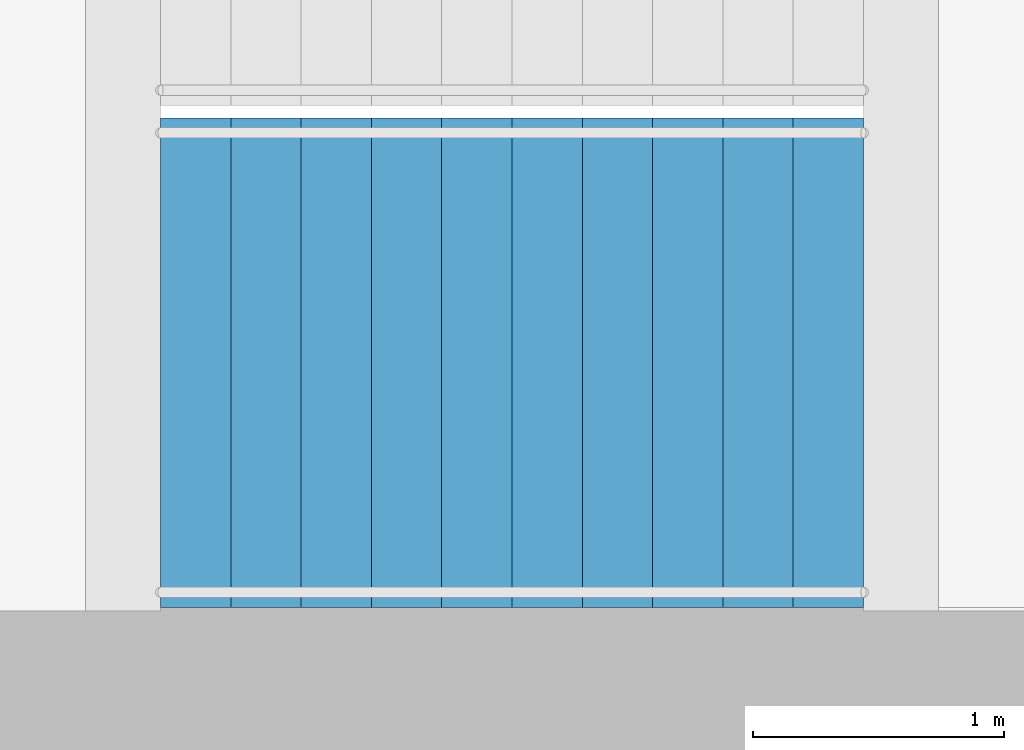
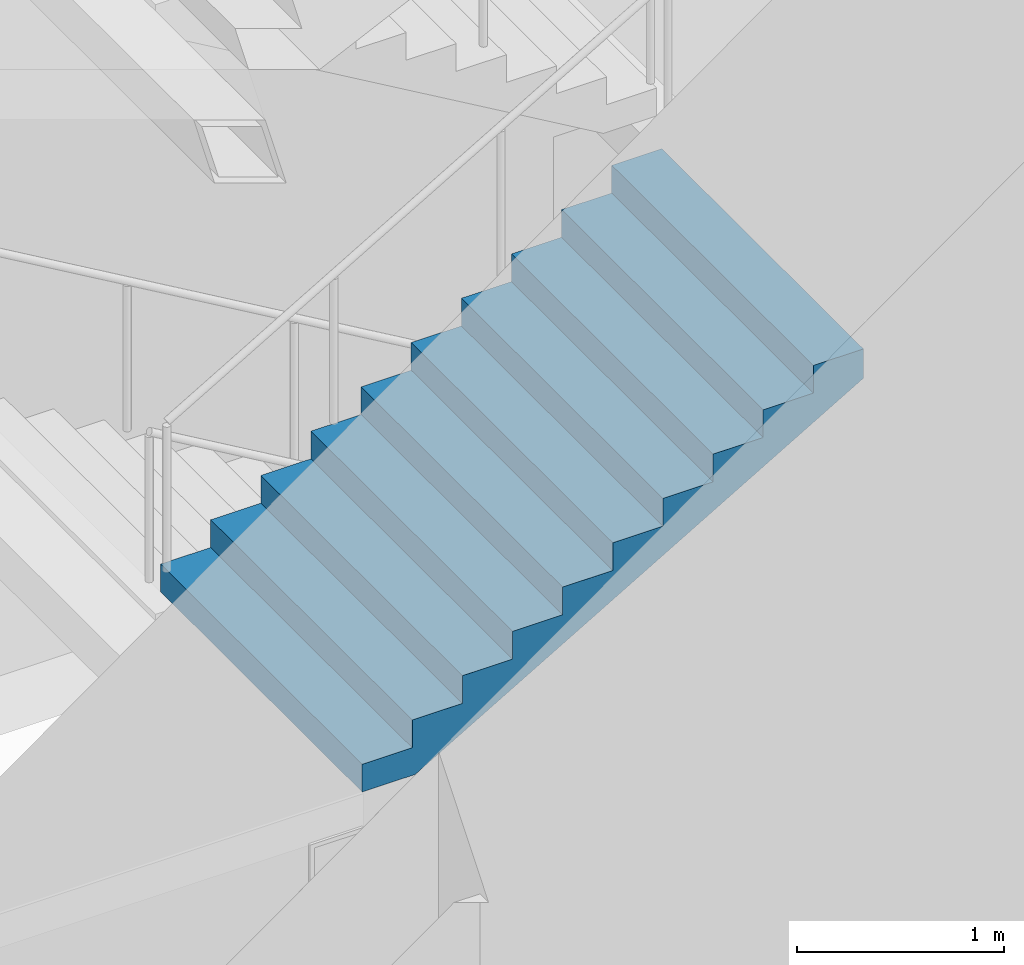
# One storey, part 20 of 24: 1 stair flight, 1 element without a shape of its own.
"""IFC4 building model written with IfcOpenShell, lengths in metres."""

from ifc_helpers import new_model, si_unit, direction, frame, origin, place, context, subcontext, project, spatial, triangles, material, type_object, element, aggregate, save


model = new_model("IFC4")

# Units and contexts
model_context = context("Model", 3, precision=1e-05, world=origin(), true_north=direction((0.0, 1.0)))
body_context = subcontext(model_context, "Body", "Model", "MODEL_VIEW")
ifc_project = project(units=[si_unit("LENGTHUNIT", "METRE"), si_unit("AREAUNIT", "SQUARE_METRE"), si_unit("VOLUMEUNIT", "CUBIC_METRE"), si_unit("PLANEANGLEUNIT", "RADIAN"), si_unit("MASSUNIT", "GRAM", prefix="KILO")], contexts=[model_context])

# Site, building, storey
site_placement = place(None, origin())
site = spatial("IfcSite", under=ifc_project, at=site_placement, CompositionType="ELEMENT")
building_placement = place(site_placement, origin())
building = spatial("IfcBuilding", under=site, at=building_placement, Name="Orbita Commons", CompositionType="ELEMENT")
storey_placement = place(building_placement, frame((0.0, 0.0, 68.949951171875)))
storey = spatial("IfcBuildingStorey", under=building, at=storey_placement, Name="L17", CompositionType="ELEMENT", Elevation=68.949951171875)

# Stair, stair flight
ifc_material_1 = material(Name="Precast concrete C40/50", Category="concrete")
stair_type = type_object("IfcStairType", Name="Exit stair S2 4 flights 11 risers 164", PredefinedType="HALF_TURN_STAIR", material=ifc_material_1)
stair_placement = place(storey_placement, origin())
stair = element("IfcStair", 1, at=stair_placement, inside=storey, type_object=stair_type, Name="Exit stair S2 L17", PredefinedType="HALF_TURN_STAIR")
ifc_material_2 = material(Name="Precast concrete C40/50", Category="concrete")
stair_flight_type = type_object("IfcStairFlightType", Name="Stair flight 11 risers 164 x 280", PredefinedType="STRAIGHT", material=ifc_material_2)
stair_flight_placement = place(storey_placement, frame((60.75, 27.27490234375, 1.800048828125), z_axis=(0.0, 0.0, 1.0), x_axis=(1.0, 0.0, 0.0)))
stair_flight = element("IfcStairFlight", 2, at=stair_flight_placement, type_object=stair_flight_type, Name="S2 flight 2", NumberOfRisers=11, NumberOfTreads=10, PredefinedType="STRAIGHT", RiserHeight=0.163636364, TreadLength=0.28, context=body_context, shape_type="Tessellation", body=[
    triangles([(0.0, 0.974976, 0.0), (0.0, 0.974976, 0.020455), (0.0, 0.81248, 0.020455), (0.0, 0.81248, 0.0), (0.0, 0.649984, 0.020455), (0.0, 0.649984, 0.0), (0.0, 0.487488, 0.020455), (0.0, 0.487488, 0.0), (0.0, 0.324992, 0.020455), (0.0, 0.324992, 0.0), (0.0, 0.162496, 0.020455), (0.0, 0.162496, 0.0), (0.0, 0.0, 0.020455), (0.0, 0.0, 0.0), (0.0, -0.162496, 0.020455), (0.0, -0.162496, 0.0), (0.0, -0.324992, 0.020455), (0.0, -0.324992, 0.0), (0.0, -0.487488, 0.020455), (0.0, -0.487488, 0.0), (0.0, -0.649984, 0.020455), (0.0, -0.649984, 0.0), (0.0, -0.81248, 0.020455), (0.0, -0.81248, 0.0), (0.0, -0.974976, 0.020455), (0.0, -0.974976, 0.0), (0.0, 0.974976, 0.040909), (0.0, 0.81248, 0.040909), (0.0, 0.649984, 0.040909), (0.0, 0.487488, 0.040909), (0.0, 0.324992, 0.040909), (0.0, 0.162496, 0.040909), (0.0, 0.0, 0.040909), (0.0, -0.162496, 0.040909), (0.0, -0.324992, 0.040909), (0.0, -0.487488, 0.040909), (0.0, -0.649984, 0.040909), (0.0, -0.81248, 0.040909), (0.0, -0.974976, 0.040909), (0.0, 0.974976, 0.061364), (0.0, 0.81248, 0.061364), (0.0, 0.649984, 0.061364), (0.0, 0.487488, 0.061364), (0.0, 0.324992, 0.061364), (0.0, 0.162496, 0.061364), (0.0, 0.0, 0.061364), (0.0, -0.162496, 0.061364), (0.0, -0.324992, 0.061364), (0.0, -0.487488, 0.061364), (0.0, -0.649984, 0.061364), (0.0, -0.81248, 0.061364), (0.0, -0.974976, 0.061364), (0.0, 0.974976, 0.081818), (0.0, 0.81248, 0.081818), (0.0, 0.649984, 0.081818), (0.0, 0.487488, 0.081818), (0.0, 0.324992, 0.081818), (0.0, 0.162496, 0.081818), (0.0, 0.0, 0.081818), (0.0, -0.162496, 0.081818), (0.0, -0.324992, 0.081818), (0.0, -0.487488, 0.081818), (0.0, -0.649984, 0.081818), (0.0, -0.81248, 0.081818), (0.0, -0.974976, 0.081818), (0.0, 0.974976, 0.102273), (0.0, 0.81248, 0.102273), (0.0, 0.649984, 0.102273), (0.0, 0.487488, 0.102273), (0.0, 0.324992, 0.102273), (0.0, 0.162496, 0.102273), (0.0, 0.0, 0.102273), (0.0, -0.162496, 0.102273), (0.0, -0.324992, 0.102273), (0.0, -0.487488, 0.102273), (0.0, -0.649984, 0.102273), (0.0, -0.81248, 0.102273), (0.0, -0.974976, 0.102273), (0.0, 0.974976, 0.122727), (0.0, 0.81248, 0.122727), (0.0, 0.649984, 0.122727), (0.0, 0.487488, 0.122727), (0.0, 0.324992, 0.122727), (0.0, 0.162496, 0.122727), (0.0, 0.0, 0.122727), (0.0, -0.162496, 0.122727), (0.0, -0.324992, 0.122727), (0.0, -0.487488, 0.122727), (0.0, -0.649984, 0.122727), (0.0, -0.81248, 0.122727), (0.0, -0.974976, 0.122727), (0.0, 0.974976, 0.143182), (0.0, 0.81248, 0.143182), (0.0, 0.649984, 0.143182), (0.0, 0.487488, 0.143182), (0.0, 0.324992, 0.143182), (0.0, 0.162496, 0.143182), (0.0, 0.0, 0.143182), (0.0, -0.162496, 0.143182), (0.0, -0.324992, 0.143182), (0.0, -0.487488, 0.143182), (0.0, -0.649984, 0.143182), (0.0, -0.81248, 0.143182), (0.0, -0.974976, 0.143182), (0.0, 0.974976, 0.163636), (0.0, 0.81248, 0.163636), (0.0, 0.649984, 0.163636), (0.0, 0.487488, 0.163636), (0.0, 0.324992, 0.163636), (0.0, 0.162496, 0.163636), (0.0, 0.0, 0.163636), (0.0, -0.162496, 0.163636), (0.0, -0.324992, 0.163636), (0.0, -0.487488, 0.163636), (0.0, -0.649984, 0.163636), (0.0, -0.81248, 0.163636), (0.0, -0.974976, 0.163636), (0.28, 0.974976, 0.163636), (0.28, 0.81248, 0.163636), (0.28, 0.649984, 0.163636), (0.28, 0.487488, 0.163636), (0.28, 0.324992, 0.163636), (0.28, 0.162496, 0.163636), (0.28, 0.0, 0.163636), (0.28, -0.162496, 0.163636), (0.28, -0.324992, 0.163636), (0.28, -0.487488, 0.163636), (0.28, -0.649984, 0.163636), (0.28, -0.81248, 0.163636), (0.28, -0.974976, 0.163636), (0.28, 0.974976, 0.327273), (0.28, 0.81248, 0.327273), (0.28, 0.649984, 0.327273), (0.28, 0.487488, 0.327273), (0.28, 0.324992, 0.327273), (0.28, 0.162496, 0.327273), (0.28, 0.0, 0.327273), (0.28, -0.162496, 0.327273), (0.28, -0.324992, 0.327273), (0.28, -0.487488, 0.327273), (0.28, -0.649984, 0.327273), (0.28, -0.81248, 0.327273), (0.28, -0.974976, 0.327273), (0.56, 0.974976, 0.327273), (0.56, 0.81248, 0.327273), (0.56, 0.649984, 0.327273), (0.56, 0.487488, 0.327273), (0.56, 0.324992, 0.327273), (0.56, 0.162496, 0.327273), (0.56, 0.0, 0.327273), (0.56, -0.162496, 0.327273), (0.56, -0.324992, 0.327273), (0.56, -0.487488, 0.327273), (0.56, -0.649984, 0.327273), (0.56, -0.81248, 0.327273), (0.56, -0.974976, 0.327273), (0.56, 0.974976, 0.490909), (0.56, 0.81248, 0.490909), (0.56, 0.649984, 0.490909), (0.56, 0.487488, 0.490909), (0.56, 0.324992, 0.490909), (0.56, 0.162496, 0.490909), (0.56, 0.0, 0.490909), (0.56, -0.162496, 0.490909), (0.56, -0.324992, 0.490909), (0.56, -0.487488, 0.490909), (0.56, -0.649984, 0.490909), (0.56, -0.81248, 0.490909), (0.56, -0.974976, 0.490909), (0.84, 0.974976, 0.490909), (0.84, 0.81248, 0.490909), (0.84, 0.649984, 0.490909), (0.84, 0.487488, 0.490909), (0.84, 0.324992, 0.490909), (0.84, 0.162496, 0.490909), (0.84, 0.0, 0.490909), (0.84, -0.162496, 0.490909), (0.84, -0.324992, 0.490909), (0.84, -0.487488, 0.490909), (0.84, -0.649984, 0.490909), (0.84, -0.81248, 0.490909), (0.84, -0.974976, 0.490909), (0.84, 0.974976, 0.654545), (0.84, 0.81248, 0.654545), (0.84, 0.649984, 0.654545), (0.84, 0.487488, 0.654545), (0.84, 0.324992, 0.654545), (0.84, 0.162496, 0.654545), (0.84, 0.0, 0.654545), (0.84, -0.162496, 0.654545), (0.84, -0.324992, 0.654545), (0.84, -0.487488, 0.654545), (0.84, -0.649984, 0.654545), (0.84, -0.81248, 0.654545), (0.84, -0.974976, 0.654545), (1.12, 0.974976, 0.654545), (1.12, 0.81248, 0.654545), (1.12, 0.649984, 0.654545), (1.12, 0.487488, 0.654545), (1.12, 0.324992, 0.654545), (1.12, 0.162496, 0.654545), (1.12, 0.0, 0.654545), (1.12, -0.162496, 0.654545), (1.12, -0.324992, 0.654545), (1.12, -0.487488, 0.654545), (1.12, -0.649984, 0.654545), (1.12, -0.81248, 0.654545), (1.12, -0.974976, 0.654545), (1.12, 0.974976, 0.818182), (1.12, 0.81248, 0.818182), (1.12, 0.649984, 0.818182), (1.12, 0.487488, 0.818182), (1.12, 0.324992, 0.818182), (1.12, 0.162496, 0.818182), (1.12, 0.0, 0.818182), (1.12, -0.162496, 0.818182), (1.12, -0.324992, 0.818182), (1.12, -0.487488, 0.818182), (1.12, -0.649984, 0.818182), (1.12, -0.81248, 0.818182), (1.12, -0.974976, 0.818182), (1.4, 0.974976, 0.818182), (1.4, 0.81248, 0.818182), (1.4, 0.649984, 0.818182), (1.4, 0.487488, 0.818182), (1.4, 0.324992, 0.818182), (1.4, 0.162496, 0.818182), (1.4, 0.0, 0.818182), (1.4, -0.162496, 0.818182), (1.4, -0.324992, 0.818182), (1.4, -0.487488, 0.818182), (1.4, -0.649984, 0.818182), (1.4, -0.81248, 0.818182), (1.4, -0.974976, 0.818182), (1.4, 0.974976, 0.981818), (1.4, 0.81248, 0.981818), (1.4, 0.649984, 0.981818), (1.4, 0.487488, 0.981818), (1.4, 0.324992, 0.981818), (1.4, 0.162496, 0.981818), (1.4, 0.0, 0.981818), (1.4, -0.162496, 0.981818), (1.4, -0.324992, 0.981818), (1.4, -0.487488, 0.981818), (1.4, -0.649984, 0.981818), (1.4, -0.81248, 0.981818), (1.4, -0.974976, 0.981818), (1.68, 0.974976, 0.981818), (1.68, 0.81248, 0.981818), (1.68, 0.649984, 0.981818), (1.68, 0.487488, 0.981818), (1.68, 0.324992, 0.981818), (1.68, 0.162496, 0.981818), (1.68, 0.0, 0.981818), (1.68, -0.162496, 0.981818), (1.68, -0.324992, 0.981818), (1.68, -0.487488, 0.981818), (1.68, -0.649984, 0.981818), (1.68, -0.81248, 0.981818), (1.68, -0.974976, 0.981818), (1.68, 0.974976, 1.145455), (1.68, 0.81248, 1.145455), (1.68, 0.649984, 1.145455), (1.68, 0.487488, 1.145455), (1.68, 0.324992, 1.145455), (1.68, 0.162496, 1.145455), (1.68, 0.0, 1.145455), (1.68, -0.162496, 1.145455), (1.68, -0.324992, 1.145455), (1.68, -0.487488, 1.145455), (1.68, -0.649984, 1.145455), (1.68, -0.81248, 1.145455), (1.68, -0.974976, 1.145455), (1.96, 0.974976, 1.145455), (1.96, 0.81248, 1.145455), (1.96, 0.649984, 1.145455), (1.96, 0.487488, 1.145455), (1.96, 0.324992, 1.145455), (1.96, 0.162496, 1.145455), (1.96, 0.0, 1.145455), (1.96, -0.162496, 1.145455), (1.96, -0.324992, 1.145455), (1.96, -0.487488, 1.145455), (1.96, -0.649984, 1.145455), (1.96, -0.81248, 1.145455), (1.96, -0.974976, 1.145455), (1.96, 0.974976, 1.309091), (1.96, 0.81248, 1.309091), (1.96, 0.649984, 1.309091), (1.96, 0.487488, 1.309091), (1.96, 0.324992, 1.309091), (1.96, 0.162496, 1.309091), (1.96, 0.0, 1.309091), (1.96, -0.162496, 1.309091), (1.96, -0.324992, 1.309091), (1.96, -0.487488, 1.309091), (1.96, -0.649984, 1.309091), (1.96, -0.81248, 1.309091), (1.96, -0.974976, 1.309091), (2.24, 0.974976, 1.309091), (2.24, 0.81248, 1.309091), (2.24, 0.649984, 1.309091), (2.24, 0.487488, 1.309091), (2.24, 0.324992, 1.309091), (2.24, 0.162496, 1.309091), (2.24, 0.0, 1.309091), (2.24, -0.162496, 1.309091), (2.24, -0.324992, 1.309091), (2.24, -0.487488, 1.309091), (2.24, -0.649984, 1.309091), (2.24, -0.81248, 1.309091), (2.24, -0.974976, 1.309091), (2.24, 0.974976, 1.472727), (2.24, 0.81248, 1.472727), (2.24, 0.649984, 1.472727), (2.24, 0.487488, 1.472727), (2.24, 0.324992, 1.472727), (2.24, 0.162496, 1.472727), (2.24, 0.0, 1.472727), (2.24, -0.162496, 1.472727), (2.24, -0.324992, 1.472727), (2.24, -0.487488, 1.472727), (2.24, -0.649984, 1.472727), (2.24, -0.81248, 1.472727), (2.24, -0.974976, 1.472727), (2.52, 0.974976, 1.472727), (2.52, 0.81248, 1.472727), (2.52, 0.649984, 1.472727), (2.52, 0.487488, 1.472727), (2.52, 0.324992, 1.472727), (2.52, 0.162496, 1.472727), (2.52, 0.0, 1.472727), (2.52, -0.162496, 1.472727), (2.52, -0.324992, 1.472727), (2.52, -0.487488, 1.472727), (2.52, -0.649984, 1.472727), (2.52, -0.81248, 1.472727), (2.52, -0.974976, 1.472727), (2.52, 0.974976, 1.636364), (2.52, 0.81248, 1.636364), (2.52, 0.649984, 1.636364), (2.52, 0.487488, 1.636364), (2.52, 0.324992, 1.636364), (2.52, 0.162496, 1.636364), (2.52, 0.0, 1.636364), (2.52, -0.162496, 1.636364), (2.52, -0.324992, 1.636364), (2.52, -0.487488, 1.636364), (2.52, -0.649984, 1.636364), (2.52, -0.81248, 1.636364), (2.52, -0.974976, 1.636364), (2.8, 0.974976, 1.636364), (2.8, 0.81248, 1.636364), (2.8, 0.649984, 1.636364), (2.8, 0.487488, 1.636364), (2.8, 0.324992, 1.636364), (2.8, 0.162496, 1.636364), (2.8, 0.0, 1.636364), (2.8, -0.162496, 1.636364), (2.8, -0.324992, 1.636364), (2.8, -0.487488, 1.636364), (2.8, -0.649984, 1.636364), (2.8, -0.81248, 1.636364), (2.8, -0.974976, 1.636364), (2.8, 0.974976, 1.614661), (2.8, 0.81248, 1.614661), (2.8, 0.649984, 1.614661), (2.8, 0.487488, 1.614661), (2.8, 0.324992, 1.614661), (2.8, 0.162496, 1.614661), (2.8, 0.0, 1.614661), (2.8, -0.162496, 1.614661), (2.8, -0.324992, 1.614661), (2.8, -0.487488, 1.614661), (2.8, -0.649984, 1.614661), (2.8, -0.81248, 1.614661), (2.8, -0.974976, 1.614661), (2.8, 0.974976, 1.592958), (2.8, 0.81248, 1.592958), (2.8, 0.649984, 1.592958), (2.8, 0.487488, 1.592958), (2.8, 0.324992, 1.592958), (2.8, 0.162496, 1.592958), (2.8, 0.0, 1.592958), (2.8, -0.162496, 1.592958), (2.8, -0.324992, 1.592958), (2.8, -0.487488, 1.592958), (2.8, -0.649984, 1.592958), (2.8, -0.81248, 1.592958), (2.8, -0.974976, 1.592958), (2.8, 0.974976, 1.571255), (2.8, 0.81248, 1.571255), (2.8, 0.649984, 1.571255), (2.8, 0.487488, 1.571255), (2.8, 0.324992, 1.571255), (2.8, 0.162496, 1.571255), (2.8, 0.0, 1.571255), (2.8, -0.162496, 1.571255), (2.8, -0.324992, 1.571255), (2.8, -0.487488, 1.571255), (2.8, -0.649984, 1.571255), (2.8, -0.81248, 1.571255), (2.8, -0.974976, 1.571255), (2.8, 0.974976, 1.549551), (2.8, 0.81248, 1.549551), (2.8, 0.649984, 1.549551), (2.8, 0.487488, 1.549551), (2.8, 0.324992, 1.549551), (2.8, 0.162496, 1.549551), (2.8, 0.0, 1.549551), (2.8, -0.162496, 1.549551), (2.8, -0.324992, 1.549551), (2.8, -0.487488, 1.549551), (2.8, -0.649984, 1.549551), (2.8, -0.81248, 1.549551), (2.8, -0.974976, 1.549551), (2.8, 0.974976, 1.527848), (2.8, 0.81248, 1.527848), (2.8, 0.649984, 1.527848), (2.8, 0.487488, 1.527848), (2.8, 0.324992, 1.527848), (2.8, 0.162496, 1.527848), (2.8, 0.0, 1.527848), (2.8, -0.162496, 1.527848), (2.8, -0.324992, 1.527848), (2.8, -0.487488, 1.527848), (2.8, -0.649984, 1.527848), (2.8, -0.81248, 1.527848), (2.8, -0.974976, 1.527848), (2.8, 0.974976, 1.506145), (2.8, 0.81248, 1.506145), (2.8, 0.649984, 1.506145), (2.8, 0.487488, 1.506145), (2.8, 0.324992, 1.506145), (2.8, 0.162496, 1.506145), (2.8, 0.0, 1.506145), (2.8, -0.162496, 1.506145), (2.8, -0.324992, 1.506145), (2.8, -0.487488, 1.506145), (2.8, -0.649984, 1.506145), (2.8, -0.81248, 1.506145), (2.8, -0.974976, 1.506145), (2.8, 0.974976, 1.484442), (2.8, 0.81248, 1.484442), (2.8, 0.649984, 1.484442), (2.8, 0.487488, 1.484442), (2.8, 0.324992, 1.484442), (2.8, 0.162496, 1.484442), (2.8, 0.0, 1.484442), (2.8, -0.162496, 1.484442), (2.8, -0.324992, 1.484442), (2.8, -0.487488, 1.484442), (2.8, -0.649984, 1.484442), (2.8, -0.81248, 1.484442), (2.8, -0.974976, 1.484442), (2.8, 0.974976, 1.462739), (2.8, 0.81248, 1.462739), (2.8, 0.649984, 1.462739), (2.8, 0.487488, 1.462739), (2.8, 0.324992, 1.462739), (2.8, 0.162496, 1.462739), (2.8, 0.0, 1.462739), (2.8, -0.162496, 1.462739), (2.8, -0.324992, 1.462739), (2.8, -0.487488, 1.462739), (2.8, -0.649984, 1.462739), (2.8, -0.81248, 1.462739), (2.8, -0.974976, 1.462739), (0.29709, 0.974976, 0.0), (0.29709, 0.81248, 0.0), (0.29709, 0.649984, 0.0), (0.29709, 0.487488, 0.0), (0.29709, 0.324992, 0.0), (0.29709, 0.162496, 0.0), (0.29709, 0.0, 0.0), (0.29709, -0.162496, 0.0), (0.29709, -0.324992, 0.0), (0.29709, -0.487488, 0.0), (0.29709, -0.649984, 0.0), (0.29709, -0.81248, 0.0), (0.29709, -0.974976, 0.0)], [[3, 2, 1], [4, 3, 1], [5, 3, 4], [6, 5, 4], [7, 5, 6], [8, 7, 6], [9, 7, 8], [10, 9, 8], [11, 9, 10], [12, 11, 10], [13, 11, 12], [14, 13, 12], [15, 13, 14], [16, 15, 14], [17, 15, 16], [18, 17, 16], [19, 17, 18], [20, 19, 18], [21, 19, 20], [22, 21, 20], [23, 21, 22], [24, 23, 22], [25, 23, 24], [26, 25, 24], [28, 27, 2], [3, 28, 2], [29, 28, 3], [5, 29, 3], [30, 29, 5], [7, 30, 5], [31, 30, 7], [9, 31, 7], [32, 31, 9], [11, 32, 9], [33, 32, 11], [13, 33, 11], [34, 33, 13], [15, 34, 13], [35, 34, 15], [17, 35, 15], [36, 35, 17], [19, 36, 17], [37, 36, 19], [21, 37, 19], [38, 37, 21], [23, 38, 21], [39, 38, 23], [25, 39, 23], [41, 40, 27], [28, 41, 27], [42, 41, 28], [29, 42, 28], [43, 42, 29], [30, 43, 29], [44, 43, 30], [31, 44, 30], [45, 44, 31], [32, 45, 31], [46, 45, 32], [33, 46, 32], [47, 46, 33], [34, 47, 33], [48, 47, 34], [35, 48, 34], [49, 48, 35], [36, 49, 35], [50, 49, 36], [37, 50, 36], [51, 50, 37], [38, 51, 37], [52, 51, 38], [39, 52, 38], [54, 53, 40], [41, 54, 40], [55, 54, 41], [42, 55, 41], [56, 55, 42], [43, 56, 42], [57, 56, 43], [44, 57, 43], [58, 57, 44], [45, 58, 44], [59, 58, 45], [46, 59, 45], [60, 59, 46], [47, 60, 46], [61, 60, 47], [48, 61, 47], [62, 61, 48], [49, 62, 48], [63, 62, 49], [50, 63, 49], [64, 63, 50], [51, 64, 50], [65, 64, 51], [52, 65, 51], [67, 66, 53], [54, 67, 53], [68, 67, 54], [55, 68, 54], [69, 68, 55], [56, 69, 55], [70, 69, 56], [57, 70, 56], [71, 70, 57], [58, 71, 57], [72, 71, 58], [59, 72, 58], [73, 72, 59], [60, 73, 59], [74, 73, 60], [61, 74, 60], [75, 74, 61], [62, 75, 61], [76, 75, 62], [63, 76, 62], [77, 76, 63], [64, 77, 63], [78, 77, 64], [65, 78, 64], [80, 79, 66], [67, 80, 66], [81, 80, 67], [68, 81, 67], [82, 81, 68], [69, 82, 68], [83, 82, 69], [70, 83, 69], [84, 83, 70], [71, 84, 70], [85, 84, 71], [72, 85, 71], [86, 85, 72], [73, 86, 72], [87, 86, 73], [74, 87, 73], [88, 87, 74], [75, 88, 74], [89, 88, 75], [76, 89, 75], [90, 89, 76], [77, 90, 76], [91, 90, 77], [78, 91, 77], [93, 92, 79], [80, 93, 79], [94, 93, 80], [81, 94, 80], [95, 94, 81], [82, 95, 81], [96, 95, 82], [83, 96, 82], [97, 96, 83], [84, 97, 83], [98, 97, 84], [85, 98, 84], [99, 98, 85], [86, 99, 85], [100, 99, 86], [87, 100, 86], [101, 100, 87], [88, 101, 87], [102, 101, 88], [89, 102, 88], [103, 102, 89], [90, 103, 89], [104, 103, 90], [91, 104, 90], [106, 105, 92], [93, 106, 92], [107, 106, 93], [94, 107, 93], [108, 107, 94], [95, 108, 94], [109, 108, 95], [96, 109, 95], [110, 109, 96], [97, 110, 96], [111, 110, 97], [98, 111, 97], [112, 111, 98], [99, 112, 98], [113, 112, 99], [100, 113, 99], [114, 113, 100], [101, 114, 100], [115, 114, 101], [102, 115, 101], [116, 115, 102], [103, 116, 102], [117, 116, 103], [104, 117, 103], [119, 118, 105], [106, 119, 105], [120, 119, 106], [107, 120, 106], [121, 120, 107], [108, 121, 107], [122, 121, 108], [109, 122, 108], [123, 122, 109], [110, 123, 109], [124, 123, 110], [111, 124, 110], [125, 124, 111], [112, 125, 111], [126, 125, 112], [113, 126, 112], [127, 126, 113], [114, 127, 113], [128, 127, 114], [115, 128, 114], [129, 128, 115], [116, 129, 115], [130, 129, 116], [117, 130, 116], [132, 131, 118], [119, 132, 118], [133, 132, 119], [120, 133, 119], [134, 133, 120], [121, 134, 120], [135, 134, 121], [122, 135, 121], [136, 135, 122], [123, 136, 122], [137, 136, 123], [124, 137, 123], [138, 137, 124], [125, 138, 124], [139, 138, 125], [126, 139, 125], [140, 139, 126], [127, 140, 126], [141, 140, 127], [128, 141, 127], [142, 141, 128], [129, 142, 128], [143, 142, 129], [130, 143, 129], [145, 144, 131], [132, 145, 131], [146, 145, 132], [133, 146, 132], [147, 146, 133], [134, 147, 133], [148, 147, 134], [135, 148, 134], [149, 148, 135], [136, 149, 135], [150, 149, 136], [137, 150, 136], [151, 150, 137], [138, 151, 137], [152, 151, 138], [139, 152, 138], [153, 152, 139], [140, 153, 139], [154, 153, 140], [141, 154, 140], [155, 154, 141], [142, 155, 141], [156, 155, 142], [143, 156, 142], [158, 157, 144], [145, 158, 144], [159, 158, 145], [146, 159, 145], [160, 159, 146], [147, 160, 146], [161, 160, 147], [148, 161, 147], [162, 161, 148], [149, 162, 148], [163, 162, 149], [150, 163, 149], [164, 163, 150], [151, 164, 150], [165, 164, 151], [152, 165, 151], [166, 165, 152], [153, 166, 152], [167, 166, 153], [154, 167, 153], [168, 167, 154], [155, 168, 154], [169, 168, 155], [156, 169, 155], [171, 170, 157], [158, 171, 157], [172, 171, 158], [159, 172, 158], [173, 172, 159], [160, 173, 159], [174, 173, 160], [161, 174, 160], [175, 174, 161], [162, 175, 161], [176, 175, 162], [163, 176, 162], [177, 176, 163], [164, 177, 163], [178, 177, 164], [165, 178, 164], [179, 178, 165], [166, 179, 165], [180, 179, 166], [167, 180, 166], [181, 180, 167], [168, 181, 167], [182, 181, 168], [169, 182, 168], [184, 183, 170], [171, 184, 170], [185, 184, 171], [172, 185, 171], [186, 185, 172], [173, 186, 172], [187, 186, 173], [174, 187, 173], [188, 187, 174], [175, 188, 174], [189, 188, 175], [176, 189, 175], [190, 189, 176], [177, 190, 176], [191, 190, 177], [178, 191, 177], [192, 191, 178], [179, 192, 178], [193, 192, 179], [180, 193, 179], [194, 193, 180], [181, 194, 180], [195, 194, 181], [182, 195, 181], [197, 196, 183], [184, 197, 183], [198, 197, 184], [185, 198, 184], [199, 198, 185], [186, 199, 185], [200, 199, 186], [187, 200, 186], [201, 200, 187], [188, 201, 187], [202, 201, 188], [189, 202, 188], [203, 202, 189], [190, 203, 189], [204, 203, 190], [191, 204, 190], [205, 204, 191], [192, 205, 191], [206, 205, 192], [193, 206, 192], [207, 206, 193], [194, 207, 193], [208, 207, 194], [195, 208, 194], [210, 209, 196], [197, 210, 196], [211, 210, 197], [198, 211, 197], [212, 211, 198], [199, 212, 198], [213, 212, 199], [200, 213, 199], [214, 213, 200], [201, 214, 200], [215, 214, 201], [202, 215, 201], [216, 215, 202], [203, 216, 202], [217, 216, 203], [204, 217, 203], [218, 217, 204], [205, 218, 204], [219, 218, 205], [206, 219, 205], [220, 219, 206], [207, 220, 206], [221, 220, 207], [208, 221, 207], [223, 222, 209], [210, 223, 209], [224, 223, 210], [211, 224, 210], [225, 224, 211], [212, 225, 211], [226, 225, 212], [213, 226, 212], [227, 226, 213], [214, 227, 213], [228, 227, 214], [215, 228, 214], [229, 228, 215], [216, 229, 215], [230, 229, 216], [217, 230, 216], [231, 230, 217], [218, 231, 217], [232, 231, 218], [219, 232, 218], [233, 232, 219], [220, 233, 219], [234, 233, 220], [221, 234, 220], [236, 235, 222], [223, 236, 222], [237, 236, 223], [224, 237, 223], [238, 237, 224], [225, 238, 224], [239, 238, 225], [226, 239, 225], [240, 239, 226], [227, 240, 226], [241, 240, 227], [228, 241, 227], [242, 241, 228], [229, 242, 228], [243, 242, 229], [230, 243, 229], [244, 243, 230], [231, 244, 230], [245, 244, 231], [232, 245, 231], [246, 245, 232], [233, 246, 232], [247, 246, 233], [234, 247, 233], [249, 248, 235], [236, 249, 235], [250, 249, 236], [237, 250, 236], [251, 250, 237], [238, 251, 237], [252, 251, 238], [239, 252, 238], [253, 252, 239], [240, 253, 239], [254, 253, 240], [241, 254, 240], [255, 254, 241], [242, 255, 241], [256, 255, 242], [243, 256, 242], [257, 256, 243], [244, 257, 243], [258, 257, 244], [245, 258, 244], [259, 258, 245], [246, 259, 245], [260, 259, 246], [247, 260, 246], [262, 261, 248], [249, 262, 248], [263, 262, 249], [250, 263, 249], [264, 263, 250], [251, 264, 250], [265, 264, 251], [252, 265, 251], [266, 265, 252], [253, 266, 252], [267, 266, 253], [254, 267, 253], [268, 267, 254], [255, 268, 254], [269, 268, 255], [256, 269, 255], [270, 269, 256], [257, 270, 256], [271, 270, 257], [258, 271, 257], [272, 271, 258], [259, 272, 258], [273, 272, 259], [260, 273, 259], [275, 274, 261], [262, 275, 261], [276, 275, 262], [263, 276, 262], [277, 276, 263], [264, 277, 263], [278, 277, 264], [265, 278, 264], [279, 278, 265], [266, 279, 265], [280, 279, 266], [267, 280, 266], [281, 280, 267], [268, 281, 267], [282, 281, 268], [269, 282, 268], [283, 282, 269], [270, 283, 269], [284, 283, 270], [271, 284, 270], [285, 284, 271], [272, 285, 271], [286, 285, 272], [273, 286, 272], [288, 287, 274], [275, 288, 274], [289, 288, 275], [276, 289, 275], [290, 289, 276], [277, 290, 276], [291, 290, 277], [278, 291, 277], [292, 291, 278], [279, 292, 278], [293, 292, 279], [280, 293, 279], [294, 293, 280], [281, 294, 280], [295, 294, 281], [282, 295, 281], [296, 295, 282], [283, 296, 282], [297, 296, 283], [284, 297, 283], [298, 297, 284], [285, 298, 284], [299, 298, 285], [286, 299, 285], [301, 300, 287], [288, 301, 287], [302, 301, 288], [289, 302, 288], [303, 302, 289], [290, 303, 289], [304, 303, 290], [291, 304, 290], [305, 304, 291], [292, 305, 291], [306, 305, 292], [293, 306, 292], [307, 306, 293], [294, 307, 293], [308, 307, 294], [295, 308, 294], [309, 308, 295], [296, 309, 295], [310, 309, 296], [297, 310, 296], [311, 310, 297], [298, 311, 297], [312, 311, 298], [299, 312, 298], [314, 313, 300], [301, 314, 300], [315, 314, 301], [302, 315, 301], [316, 315, 302], [303, 316, 302], [317, 316, 303], [304, 317, 303], [318, 317, 304], [305, 318, 304], [319, 318, 305], [306, 319, 305], [320, 319, 306], [307, 320, 306], [321, 320, 307], [308, 321, 307], [322, 321, 308], [309, 322, 308], [323, 322, 309], [310, 323, 309], [324, 323, 310], [311, 324, 310], [325, 324, 311], [312, 325, 311], [327, 326, 313], [314, 327, 313], [328, 327, 314], [315, 328, 314], [329, 328, 315], [316, 329, 315], [330, 329, 316], [317, 330, 316], [331, 330, 317], [318, 331, 317], [332, 331, 318], [319, 332, 318], [333, 332, 319], [320, 333, 319], [334, 333, 320], [321, 334, 320], [335, 334, 321], [322, 335, 321], [336, 335, 322], [323, 336, 322], [337, 336, 323], [324, 337, 323], [338, 337, 324], [325, 338, 324], [340, 339, 326], [327, 340, 326], [341, 340, 327], [328, 341, 327], [342, 341, 328], [329, 342, 328], [343, 342, 329], [330, 343, 329], [344, 343, 330], [331, 344, 330], [345, 344, 331], [332, 345, 331], [346, 345, 332], [333, 346, 332], [347, 346, 333], [334, 347, 333], [348, 347, 334], [335, 348, 334], [349, 348, 335], [336, 349, 335], [350, 349, 336], [337, 350, 336], [351, 350, 337], [338, 351, 337], [353, 352, 339], [340, 353, 339], [354, 353, 340], [341, 354, 340], [355, 354, 341], [342, 355, 341], [356, 355, 342], [343, 356, 342], [357, 356, 343], [344, 357, 343], [358, 357, 344], [345, 358, 344], [359, 358, 345], [346, 359, 345], [360, 359, 346], [347, 360, 346], [361, 360, 347], [348, 361, 347], [362, 361, 348], [349, 362, 348], [363, 362, 349], [350, 363, 349], [364, 363, 350], [351, 364, 350], [366, 365, 352], [353, 366, 352], [367, 366, 353], [354, 367, 353], [368, 367, 354], [355, 368, 354], [369, 368, 355], [356, 369, 355], [370, 369, 356], [357, 370, 356], [371, 370, 357], [358, 371, 357], [372, 371, 358], [359, 372, 358], [373, 372, 359], [360, 373, 359], [374, 373, 360], [361, 374, 360], [375, 374, 361], [362, 375, 361], [376, 375, 362], [363, 376, 362], [377, 376, 363], [364, 377, 363], [379, 378, 365], [366, 379, 365], [380, 379, 366], [367, 380, 366], [381, 380, 367], [368, 381, 367], [382, 381, 368], [369, 382, 368], [383, 382, 369], [370, 383, 369], [384, 383, 370], [371, 384, 370], [385, 384, 371], [372, 385, 371], [386, 385, 372], [373, 386, 372], [387, 386, 373], [374, 387, 373], [388, 387, 374], [375, 388, 374], [389, 388, 375], [376, 389, 375], [390, 389, 376], [377, 390, 376], [392, 391, 378], [379, 392, 378], [393, 392, 379], [380, 393, 379], [394, 393, 380], [381, 394, 380], [395, 394, 381], [382, 395, 381], [396, 395, 382], [383, 396, 382], [397, 396, 383], [384, 397, 383], [398, 397, 384], [385, 398, 384], [399, 398, 385], [386, 399, 385], [400, 399, 386], [387, 400, 386], [401, 400, 387], [388, 401, 387], [402, 401, 388], [389, 402, 388], [403, 402, 389], [390, 403, 389], [405, 404, 391], [392, 405, 391], [406, 405, 392], [393, 406, 392], [407, 406, 393], [394, 407, 393], [408, 407, 394], [395, 408, 394], [409, 408, 395], [396, 409, 395], [410, 409, 396], [397, 410, 396], [411, 410, 397], [398, 411, 397], [412, 411, 398], [399, 412, 398], [413, 412, 399], [400, 413, 399], [414, 413, 400], [401, 414, 400], [415, 414, 401], [402, 415, 401], [416, 415, 402], [403, 416, 402], [418, 417, 404], [405, 418, 404], [419, 418, 405], [406, 419, 405], [420, 419, 406], [407, 420, 406], [421, 420, 407], [408, 421, 407], [422, 421, 408], [409, 422, 408], [423, 422, 409], [410, 423, 409], [424, 423, 410], [411, 424, 410], [425, 424, 411], [412, 425, 411], [426, 425, 412], [413, 426, 412], [427, 426, 413], [414, 427, 413], [428, 427, 414], [415, 428, 414], [429, 428, 415], [416, 429, 415], [431, 430, 417], [418, 431, 417], [432, 431, 418], [419, 432, 418], [433, 432, 419], [420, 433, 419], [434, 433, 420], [421, 434, 420], [435, 434, 421], [422, 435, 421], [436, 435, 422], [423, 436, 422], [437, 436, 423], [424, 437, 423], [438, 437, 424], [425, 438, 424], [439, 438, 425], [426, 439, 425], [440, 439, 426], [427, 440, 426], [441, 440, 427], [428, 441, 427], [442, 441, 428], [429, 442, 428], [444, 443, 430], [431, 444, 430], [445, 444, 431], [432, 445, 431], [446, 445, 432], [433, 446, 432], [447, 446, 433], [434, 447, 433], [448, 447, 434], [435, 448, 434], [449, 448, 435], [436, 449, 435], [450, 449, 436], [437, 450, 436], [451, 450, 437], [438, 451, 437], [452, 451, 438], [439, 452, 438], [453, 452, 439], [440, 453, 439], [454, 453, 440], [441, 454, 440], [455, 454, 441], [442, 455, 441], [457, 456, 443], [444, 457, 443], [458, 457, 444], [445, 458, 444], [459, 458, 445], [446, 459, 445], [460, 459, 446], [447, 460, 446], [461, 460, 447], [448, 461, 447], [462, 461, 448], [449, 462, 448], [463, 462, 449], [450, 463, 449], [464, 463, 450], [451, 464, 450], [465, 464, 451], [452, 465, 451], [466, 465, 452], [453, 466, 452], [467, 466, 453], [454, 467, 453], [468, 467, 454], [455, 468, 454], [470, 469, 456], [457, 470, 456], [471, 470, 457], [458, 471, 457], [472, 471, 458], [459, 472, 458], [473, 472, 459], [460, 473, 459], [474, 473, 460], [461, 474, 460], [475, 474, 461], [462, 475, 461], [476, 475, 462], [463, 476, 462], [477, 476, 463], [464, 477, 463], [478, 477, 464], [465, 478, 464], [479, 478, 465], [466, 479, 465], [480, 479, 466], [467, 480, 466], [481, 480, 467], [468, 481, 467], [4, 1, 469], [470, 4, 469], [6, 4, 470], [471, 6, 470], [8, 6, 471], [472, 8, 471], [10, 8, 472], [473, 10, 472], [12, 10, 473], [474, 12, 473], [14, 12, 474], [475, 14, 474], [16, 14, 475], [476, 16, 475], [18, 16, 476], [477, 18, 476], [20, 18, 477], [478, 20, 477], [22, 20, 478], [479, 22, 478], [24, 22, 479], [480, 24, 479], [26, 24, 480], [481, 26, 480], [456, 469, 1], [26, 481, 468], [443, 456, 1], [26, 468, 455], [430, 443, 1], [26, 455, 442], [417, 430, 1], [26, 442, 429], [404, 417, 1], [26, 429, 416], [391, 404, 1], [26, 416, 403], [378, 391, 1], [26, 403, 390], [365, 378, 1], [26, 390, 377], [339, 352, 365], [377, 364, 351], [326, 339, 365], [377, 351, 338], [300, 313, 326], [338, 325, 312], [300, 326, 365], [377, 338, 312], [274, 287, 300], [312, 299, 286], [274, 300, 365], [377, 312, 286], [248, 261, 274], [286, 273, 260], [248, 274, 365], [377, 286, 260], [222, 235, 248], [260, 247, 234], [222, 248, 365], [377, 260, 234], [196, 209, 222], [234, 221, 208], [196, 222, 365], [377, 234, 208], [170, 183, 196], [208, 195, 182], [170, 196, 365], [377, 208, 182], [144, 157, 170], [182, 169, 156], [144, 170, 365], [377, 182, 156], [118, 131, 144], [156, 143, 130], [118, 144, 365], [377, 156, 130], [118, 365, 1], [26, 377, 130], [92, 105, 118], [130, 117, 104], [79, 92, 118], [130, 104, 91], [66, 79, 118], [130, 91, 78], [53, 66, 118], [130, 78, 65], [40, 53, 118], [130, 65, 52], [27, 40, 118], [130, 52, 39], [2, 27, 118], [130, 39, 25], [1, 2, 118], [130, 25, 26]], closed=True),
])
aggregate(stair, [stair_flight])

save(model, "model.ifc")
